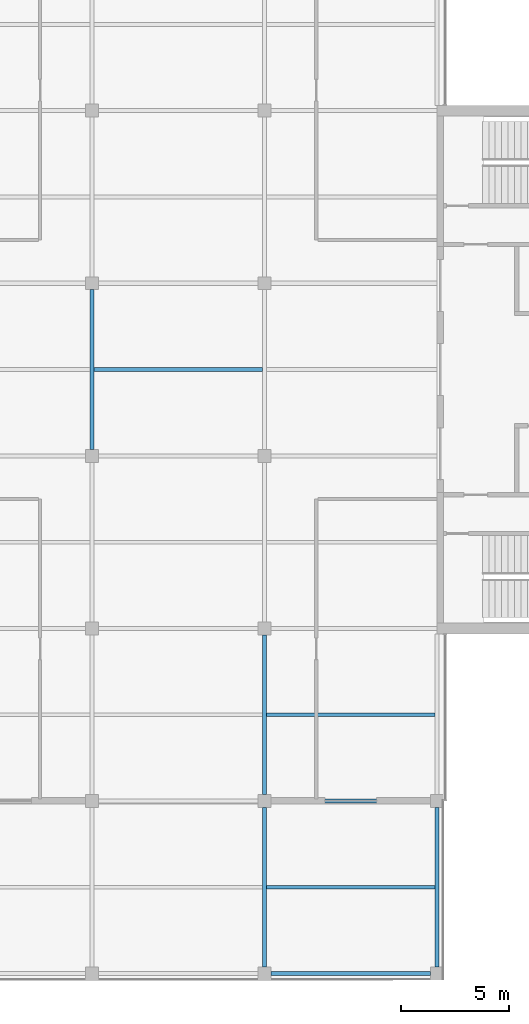
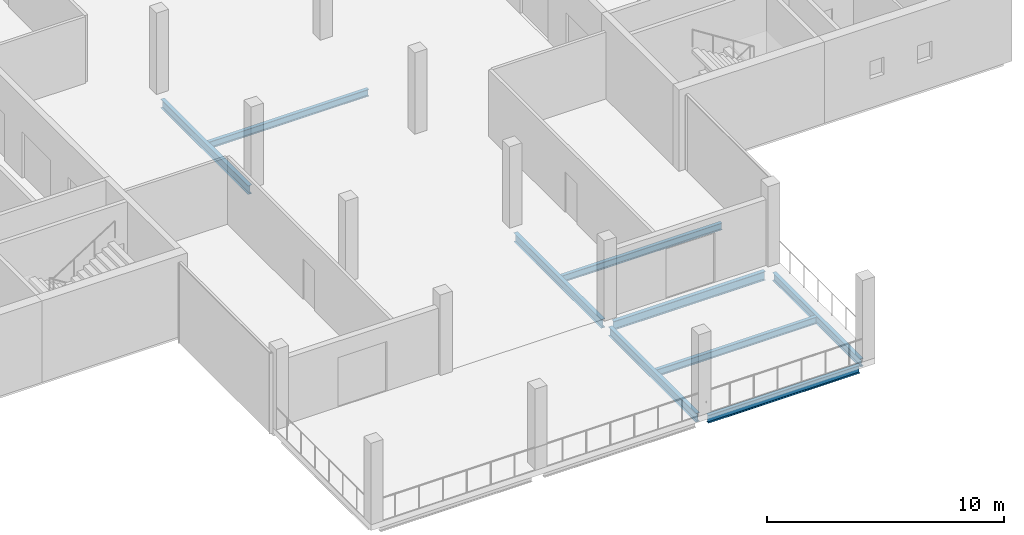
# One storey, part 3 of 12: 9 beams.
"""IFC4 building model written with IfcOpenShell, lengths in metres."""

from ifc_helpers import new_model, si_unit, direction, frame, origin, origin_2d, place, context, subcontext, project, spatial, i_section, extrude, material, material_profile, profile_set, type_object, element, save


model = new_model("IFC4")

# Units and contexts
model_context = context("Model", 3, precision=1e-05, world=origin(), true_north=direction((0.0, 1.0)))
body_context = subcontext(model_context, "Body", "Model", "MODEL_VIEW")
ifc_project = project(units=[si_unit("LENGTHUNIT", "METRE"), si_unit("AREAUNIT", "SQUARE_METRE"), si_unit("VOLUMEUNIT", "CUBIC_METRE"), si_unit("PLANEANGLEUNIT", "RADIAN"), si_unit("MASSUNIT", "GRAM", prefix="KILO")], contexts=[model_context])

# Site, building, storey
site_placement = place(None, origin())
site = spatial("IfcSite", under=ifc_project, at=site_placement, CompositionType="ELEMENT")
building_placement = place(site_placement, origin())
building = spatial("IfcBuilding", under=site, at=building_placement, Name="Crosswind Convention Tower", CompositionType="ELEMENT")
storey_placement = place(building_placement, frame((0.0, 0.0, 332.300048828125)))
storey = spatial("IfcBuildingStorey", under=building, at=storey_placement, Name="L72", CompositionType="ELEMENT", Elevation=332.300048828125)

# Beams
ifc_material = material(Name="Steel S355", Category="steel")
ifc_material_profile_1 = material_profile(ifc_material, i_section(OverallWidth=0.177734375, OverallDepth=0.406494140625, WebThickness=0.0078125, FlangeThickness=0.0126953125, FilletRadius=0.01025390625, at=origin_2d()), Name="UB 406x178x60")
ifc_profile_set_1 = profile_set([ifc_material_profile_1], Name="Steel S355")
beam_type_1 = type_object("IfcBeamType", Name="Edge beam UB 406x178x60", PredefinedType="SPANDREL", material=ifc_profile_set_1)
for number, where, z_axis, x_axis, name in (
    (1, (129.300048828125, 72.0, -0.503173828125), (1.0, 0.0, 0.0), (0.0, 1.0, 0.0), "B15 L72 edge beam 9"),
    (2, (137.0, 72.300048828125, -0.503173828125), (0.0, 1.0, 0.0), (-1.0, 0.0, 0.0), "B15 L72 edge beam 11"),
):
    element("IfcBeam", number, at=place(storey_placement, frame(where, z_axis=z_axis, x_axis=x_axis)), inside=storey, type_object=beam_type_1, Name=name, PredefinedType="SPANDREL", context=body_context, shape_type="SweptSolid", body=[
        extrude(i_section(OverallWidth=0.177734375, OverallDepth=0.406494140625, WebThickness=0.0078125, FlangeThickness=0.0126953125, FilletRadius=0.01025390625, at=origin_2d()), origin(), (0.0, 0.0, 1.0), 7.39990234375),
    ])
ifc_material_profile_2 = material_profile(ifc_material, i_section(OverallWidth=0.18994140625, OverallDepth=0.45361328125, WebThickness=0.008544921875, FlangeThickness=0.0126953125, FilletRadius=0.01025390625, at=origin_2d()), Name="UB 457x191x67")
ifc_profile_set_2 = profile_set([ifc_material_profile_2], Name="Steel S355")
beam_type_2 = type_object("IfcBeamType", Name="Girder UB 457x191x67", PredefinedType="BEAM", material=ifc_profile_set_2)
for number, where, z_axis, x_axis, name in (
    (3, (121.0, 96.300048828125, -0.52685546875), (0.0, 1.0, 0.0), (-1.0, 0.0, 0.0), "B1 L72 girder 6"),
    (4, (129.0, 72.300048828125, -0.52685546875), (0.0, 1.0, 0.0), (-1.0, 0.0, 0.0), "B1 L72 girder 16"),
    (5, (129.0, 80.300048828125, -0.52685546875), (0.0, 1.0, 0.0), (-1.0, 0.0, 0.0), "B1 L72 girder 17"),
    (6, (129.300048828125, 80.0, -0.52685546875), (1.0, 0.0, 0.0), (0.0, 1.0, 0.0), "B1 L72 girder 23"),
):
    element("IfcBeam", number, at=place(storey_placement, frame(where, z_axis=z_axis, x_axis=x_axis)), inside=storey, type_object=beam_type_2, Name=name, PredefinedType="BEAM", context=body_context, shape_type="SweptSolid", body=[
        extrude(i_section(OverallWidth=0.18994140625, OverallDepth=0.45361328125, WebThickness=0.008544921875, FlangeThickness=0.0126953125, FilletRadius=0.01025390625, at=origin_2d()), origin(), (0.0, 0.0, 1.0), 7.39990234375),
    ])
ifc_material_profile_3 = material_profile(ifc_material, i_section(OverallWidth=0.17138671875, OverallDepth=0.355712890625, WebThickness=0.00732421875, FlangeThickness=0.011474609375, FilletRadius=0.01025390625, at=origin_2d()), Name="UB 356x171x51")
ifc_profile_set_3 = profile_set([ifc_material_profile_3], Name="Steel S355")
beam_type_3 = type_object("IfcBeamType", Name="Secondary beam UB 356x171x51", PredefinedType="JOIST", material=ifc_profile_set_3)
beam_placement = place(storey_placement, frame((121.094970703125, 100.0, -0.477783203125), z_axis=(1.0, 0.0, 0.0), x_axis=(0.0, 1.0, 0.0)))
element("IfcBeam", 7, at=beam_placement, inside=storey, type_object=beam_type_3, Name="B8 L72 secondary beam 11", PredefinedType="JOIST", context=body_context, shape_type="SweptSolid", body=[
    extrude(i_section(OverallWidth=0.17138671875, OverallDepth=0.355712890625, WebThickness=0.00732421875, FlangeThickness=0.011474609375, FilletRadius=0.01025390625, at=origin_2d()), origin(), (0.0, 0.0, 1.0), 7.81005859375),
])
for number, where, z_axis, x_axis, name in (
    (8, (129.094970703125, 76.0, -0.477783203125), (1.0, 0.0, 0.0), (0.0, 1.0, 0.0), "B8 L72 secondary beam 15"),
    (9, (129.094970703125, 84.0, -0.477783203125), (1.0, 0.0, 0.0), (0.0, 1.0, 0.0), "B8 L72 secondary beam 16"),
):
    element("IfcBeam", number, at=place(storey_placement, frame(where, z_axis=z_axis, x_axis=x_axis)), inside=storey, type_object=beam_type_3, Name=name, PredefinedType="JOIST", context=body_context, shape_type="SweptSolid", body=[
        extrude(i_section(OverallWidth=0.17138671875, OverallDepth=0.355712890625, WebThickness=0.00732421875, FlangeThickness=0.011474609375, FilletRadius=0.01025390625, at=origin_2d()), origin(), (0.0, 0.0, 1.0), 7.816162109375),
    ])

save(model, "model.ifc")
